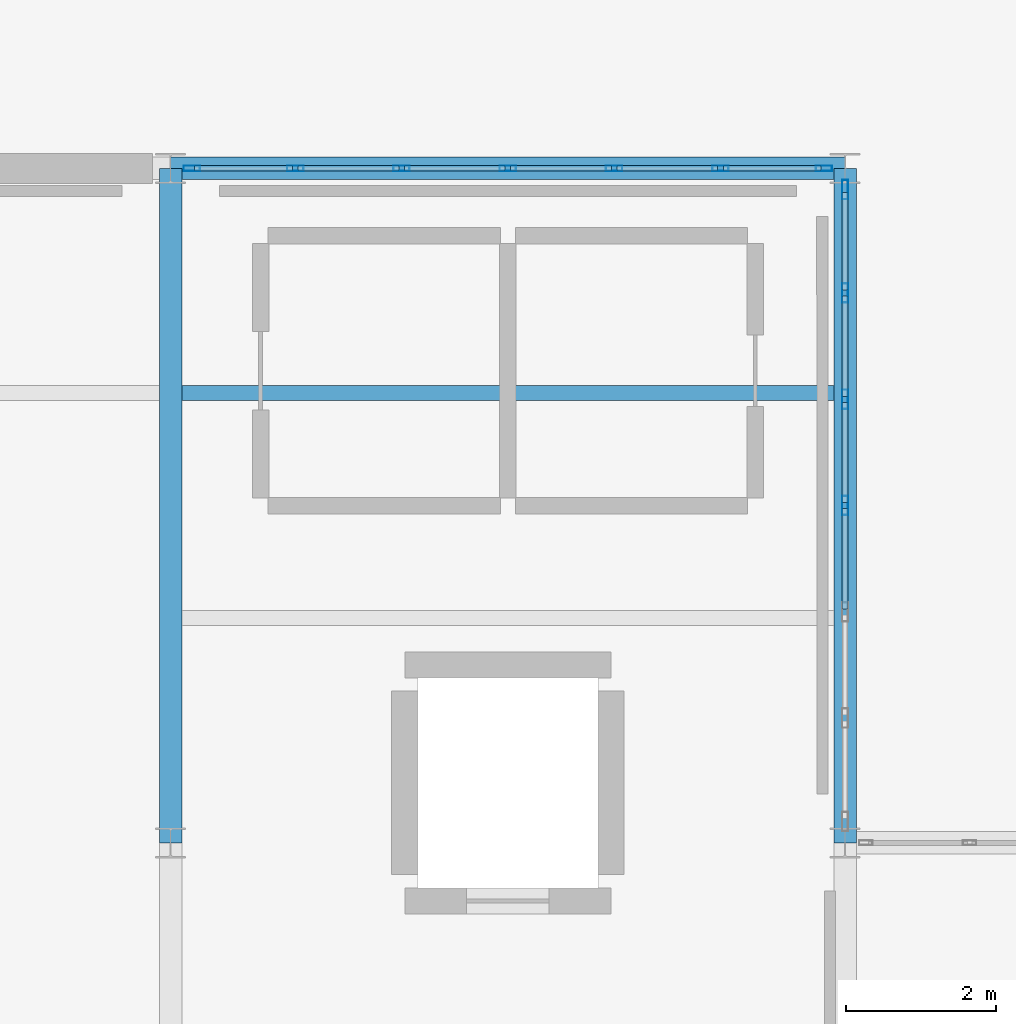
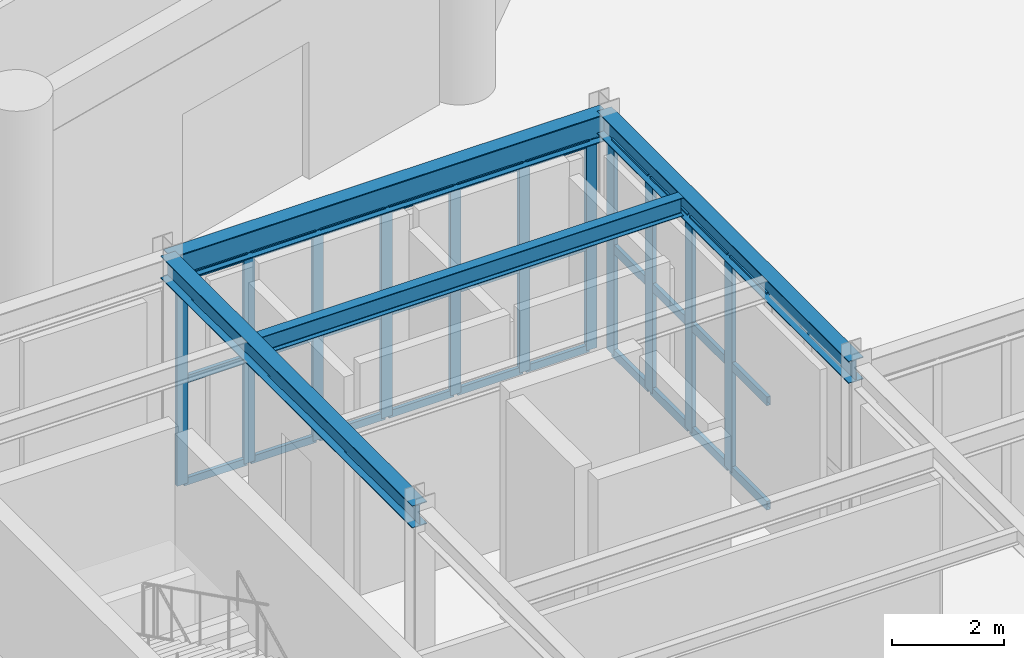
# One storey, part 32 of 140: 41 members, 4 beams, 2 elements without a shape of their own.
"""IFC4 building model written with IfcOpenShell, lengths in metres."""

from ifc_helpers import new_model, si_unit, direction, frame, origin, origin_2d, place, context, subcontext, project, spatial, hollow_rectangle, i_section, extrude, material, material_profile, profile_set, type_object, element, aggregate, save


model = new_model("IFC4")

# Units and contexts
model_context = context("Model", 3, precision=1e-05, world=origin(), true_north=direction((0.0, 1.0)))
body_context = subcontext(model_context, "Body", "Model", "MODEL_VIEW")
ifc_project = project(units=[si_unit("LENGTHUNIT", "METRE"), si_unit("AREAUNIT", "SQUARE_METRE"), si_unit("VOLUMEUNIT", "CUBIC_METRE"), si_unit("PLANEANGLEUNIT", "RADIAN"), si_unit("MASSUNIT", "GRAM", prefix="KILO")], contexts=[model_context])

# Site, building, storey
site_placement = place(None, origin())
site = spatial("IfcSite", under=ifc_project, at=site_placement, CompositionType="ELEMENT")
building_placement = place(site_placement, origin())
building = spatial("IfcBuilding", under=site, at=building_placement, Name="Haizhuo Lancet Aquarium", CompositionType="ELEMENT")
storey_placement = place(building_placement, origin())
storey = spatial("IfcBuildingStorey", under=building, at=storey_placement, Name="L00", CompositionType="ELEMENT", Elevation=0.0)

# Beams
ifc_material_1 = material(Name="Steel S355", Category="steel")
ifc_material_profile_1 = material_profile(ifc_material_1, i_section(OverallWidth=0.300048828125, OverallDepth=0.488037109375, WebThickness=0.010986328125, FlangeThickness=0.01806640625, FilletRadius=0.02392578125, at=origin_2d()), Name="HM 488x300x11x18")
ifc_profile_set_1 = profile_set([ifc_material_profile_1], Name="Steel S355")
beam_type_1 = type_object("IfcBeamType", Name="BM-ST-HM488", PredefinedType="BEAM", material=ifc_profile_set_1)
for number, where, z_axis, x_axis, name in (
    (1, (0.0, -36.0, 4.8759765625), (0.0, 1.0, 0.0), (-1.0, 0.0, 0.0), "L00 V4 primary girder BM-L00-V4-016"),
    (2, (9.0, -36.0, 4.8759765625), (0.0, 1.0, 0.0), (-1.0, 0.0, 0.0), "L00 V4 primary girder BM-L00-V4-022"),
):
    element("IfcBeam", number, at=place(storey_placement, frame(where, z_axis=z_axis, x_axis=x_axis)), inside=storey, type_object=beam_type_1, Name=name, PredefinedType="BEAM", context=body_context, shape_type="SweptSolid", body=[
        extrude(i_section(OverallWidth=0.300048828125, OverallDepth=0.488037109375, WebThickness=0.010986328125, FlangeThickness=0.01806640625, FilletRadius=0.02392578125, at=origin_2d()), origin(), (0.0, 0.0, 1.0), 9.0),
    ])
ifc_material_profile_2 = material_profile(ifc_material_1, i_section(OverallWidth=0.300048828125, OverallDepth=0.587890625, WebThickness=0.011962890625, FlangeThickness=0.02001953125, FilletRadius=0.02587890625, at=origin_2d()), Name="HM 588x300x12x20")
ifc_profile_set_2 = profile_set([ifc_material_profile_2], Name="Steel S355")
beam_type_2 = type_object("IfcBeamType", Name="BM-ST-HM588", PredefinedType="BEAM", material=ifc_profile_set_2)
beam_1_placement = place(storey_placement, frame((0.0, -27.0, 4.825927734375), z_axis=(1.0, 0.0, 0.0), x_axis=(0.0, 1.0, 0.0)))
element("IfcBeam", 3, at=beam_1_placement, inside=storey, type_object=beam_type_2, Name="L00 V4 primary girder BM-L00-V4-017", PredefinedType="BEAM", context=body_context, shape_type="SweptSolid", body=[
    extrude(i_section(OverallWidth=0.300048828125, OverallDepth=0.587890625, WebThickness=0.011962890625, FlangeThickness=0.02001953125, FilletRadius=0.02587890625, at=origin_2d()), origin(), (0.0, 0.0, 1.0), 9.0),
])

# Curtain wall, members
ifc_material_2 = material(Name="Aluminium 6063-T6", Category="aluminium")
curtain_wall_type_1 = type_object("IfcCurtainWallType", Name="CWO-8510x4530", PredefinedType="NOTDEFINED", material=ifc_material_2)
curtain_wall_1_placement = place(storey_placement, origin())
curtain_wall_1 = element("IfcCurtainWall", 4, at=curtain_wall_1_placement, inside=storey, type_object=curtain_wall_type_1, Name="L00 curtain wall CW-V4-L00-083", PredefinedType="NOTDEFINED")
ifc_material_profile_3 = material_profile(ifc_material_2, hollow_rectangle(XDim=0.074951171875, YDim=0.219970703125, WallThickness=0.0048828125, at=origin_2d()), Name="ALU-M 75x220x5")
ifc_profile_set_3 = profile_set([ifc_material_profile_3], Name="Aluminium 6063-T6")
member_type_1 = type_object("IfcMemberType", Name="CW-MUL-2", PredefinedType="MULLION", material=ifc_profile_set_3)
member_1_placement = place(storey_placement, frame((0.281982421875, -27.0, 0.0), z_axis=(0.0, 0.0, 1.0), x_axis=(0.0, 1.0, 0.0)))
member_1 = element("IfcMember", 5, at=member_1_placement, type_object=member_type_1, Name="CWO-85x45 mullion 1", PredefinedType="MULLION", context=body_context, shape_type="SweptSolid", body=[
    extrude(hollow_rectangle(XDim=0.074951171875, YDim=0.219970703125, WallThickness=0.0048828125, at=origin_2d()), origin(), (0.0, 0.0, 1.0), 4.531982421875),
])
member_2_placement = place(storey_placement, frame((1.6630859375, -27.0, 0.0), z_axis=(0.0, 0.0, 1.0), x_axis=(0.0, 1.0, 0.0)))
member_2 = element("IfcMember", 6, at=member_2_placement, type_object=member_type_1, Name="CWO-85x45 mullion 2", PredefinedType="MULLION", context=body_context, shape_type="SweptSolid", body=[
    extrude(hollow_rectangle(XDim=0.074951171875, YDim=0.219970703125, WallThickness=0.0048828125, at=origin_2d()), origin(), (0.0, 0.0, 1.0), 4.531982421875),
])
member_3_placement = place(storey_placement, frame((3.08203125, -27.0, 0.0), z_axis=(0.0, 0.0, 1.0), x_axis=(0.0, 1.0, 0.0)))
member_3 = element("IfcMember", 7, at=member_3_placement, type_object=member_type_1, Name="CWO-85x45 mullion 3", PredefinedType="MULLION", context=body_context, shape_type="SweptSolid", body=[
    extrude(hollow_rectangle(XDim=0.074951171875, YDim=0.219970703125, WallThickness=0.0048828125, at=origin_2d()), origin(), (0.0, 0.0, 1.0), 4.531982421875),
])
member_4_placement = place(storey_placement, frame((4.5, -27.0, 0.0), z_axis=(0.0, 0.0, 1.0), x_axis=(0.0, 1.0, 0.0)))
member_4 = element("IfcMember", 8, at=member_4_placement, type_object=member_type_1, Name="CWO-85x45 mullion 4", PredefinedType="MULLION", context=body_context, shape_type="SweptSolid", body=[
    extrude(hollow_rectangle(XDim=0.074951171875, YDim=0.219970703125, WallThickness=0.0048828125, at=origin_2d()), origin(), (0.0, 0.0, 1.0), 4.531982421875),
])
member_5_placement = place(storey_placement, frame((5.91796875, -27.0, 0.0), z_axis=(0.0, 0.0, 1.0), x_axis=(0.0, 1.0, 0.0)))
member_5 = element("IfcMember", 9, at=member_5_placement, type_object=member_type_1, Name="CWO-85x45 mullion 5", PredefinedType="MULLION", context=body_context, shape_type="SweptSolid", body=[
    extrude(hollow_rectangle(XDim=0.074951171875, YDim=0.219970703125, WallThickness=0.0048828125, at=origin_2d()), origin(), (0.0, 0.0, 1.0), 4.531982421875),
])
member_6_placement = place(storey_placement, frame((7.3369140625, -27.0, 0.0), z_axis=(0.0, 0.0, 1.0), x_axis=(0.0, 1.0, 0.0)))
member_6 = element("IfcMember", 10, at=member_6_placement, type_object=member_type_1, Name="CWO-85x45 mullion 6", PredefinedType="MULLION", context=body_context, shape_type="SweptSolid", body=[
    extrude(hollow_rectangle(XDim=0.074951171875, YDim=0.219970703125, WallThickness=0.0048828125, at=origin_2d()), origin(), (0.0, 0.0, 1.0), 4.531982421875),
])
member_7_placement = place(storey_placement, frame((8.718017578125, -27.0, 0.0), z_axis=(0.0, 0.0, 1.0), x_axis=(0.0, 1.0, 0.0)))
member_7 = element("IfcMember", 11, at=member_7_placement, type_object=member_type_1, Name="CWO-85x45 mullion 7", PredefinedType="MULLION", context=body_context, shape_type="SweptSolid", body=[
    extrude(hollow_rectangle(XDim=0.074951171875, YDim=0.219970703125, WallThickness=0.0048828125, at=origin_2d()), origin(), (0.0, 0.0, 1.0), 4.531982421875),
])

curtain_wall_type_2 = type_object("IfcCurtainWallType", Name="CWO-8510x4630", PredefinedType="NOTDEFINED", material=ifc_material_2)
curtain_wall_2_placement = place(storey_placement, origin())
curtain_wall_2 = element("IfcCurtainWall", 12, at=curtain_wall_2_placement, inside=storey, type_object=curtain_wall_type_2, Name="L00 curtain wall CW-V4-L00-084", PredefinedType="NOTDEFINED")
ifc_material_profile_4 = material_profile(ifc_material_2, hollow_rectangle(XDim=0.080078125, YDim=0.260009765625, WallThickness=0.0048828125, at=origin_2d()), Name="ALU-M 80x260x5")
ifc_profile_set_4 = profile_set([ifc_material_profile_4], Name="Aluminium 6063-T6")
member_type_2 = type_object("IfcMemberType", Name="CW-MUL-3", PredefinedType="MULLION", material=ifc_profile_set_4)
member_8_placement = place(storey_placement, frame((9.0, -27.284912109375, 0.0), z_axis=(0.0, 0.0, 1.0), x_axis=(1.0, 0.0, 0.0)))
member_8 = element("IfcMember", 13, at=member_8_placement, type_object=member_type_2, Name="CWO-85x46 mullion 1", PredefinedType="MULLION", context=body_context, shape_type="SweptSolid", body=[
    extrude(hollow_rectangle(XDim=0.080078125, YDim=0.260009765625, WallThickness=0.0048828125, at=origin_2d()), origin(), (0.0, 0.0, 1.0), 4.632080078125),
])
member_9_placement = place(storey_placement, frame((9.0, -28.6630859375, 0.0), z_axis=(0.0, 0.0, 1.0), x_axis=(1.0, 0.0, 0.0)))
member_9 = element("IfcMember", 14, at=member_9_placement, type_object=member_type_2, Name="CWO-85x46 mullion 2", PredefinedType="MULLION", context=body_context, shape_type="SweptSolid", body=[
    extrude(hollow_rectangle(XDim=0.080078125, YDim=0.260009765625, WallThickness=0.0048828125, at=origin_2d()), origin(), (0.0, 0.0, 1.0), 4.632080078125),
])
member_10_placement = place(storey_placement, frame((9.0, -30.08203125, 0.0), z_axis=(0.0, 0.0, 1.0), x_axis=(1.0, 0.0, 0.0)))
member_10 = element("IfcMember", 15, at=member_10_placement, type_object=member_type_2, Name="CWO-85x46 mullion 3", PredefinedType="MULLION", context=body_context, shape_type="SweptSolid", body=[
    extrude(hollow_rectangle(XDim=0.080078125, YDim=0.260009765625, WallThickness=0.0048828125, at=origin_2d()), origin(), (0.0, 0.0, 1.0), 4.632080078125),
])
member_11_placement = place(storey_placement, frame((9.0, -31.5, 0.0), z_axis=(0.0, 0.0, 1.0), x_axis=(1.0, 0.0, 0.0)))
member_11 = element("IfcMember", 16, at=member_11_placement, type_object=member_type_2, Name="CWO-85x46 mullion 4", PredefinedType="MULLION", context=body_context, shape_type="SweptSolid", body=[
    extrude(hollow_rectangle(XDim=0.080078125, YDim=0.260009765625, WallThickness=0.0048828125, at=origin_2d()), origin(), (0.0, 0.0, 1.0), 4.632080078125),
])

# Member
ifc_material_profile_5 = material_profile(ifc_material_2, hollow_rectangle(XDim=0.074951171875, YDim=0.159912109375, WallThickness=0.00390625, at=origin_2d()), Name="ALU-T 75x160x4")
ifc_profile_set_5 = profile_set([ifc_material_profile_5], Name="Aluminium 6063-T6")
member_type_3 = type_object("IfcMemberType", Name="CW-TRN-2", PredefinedType="NOTDEFINED", material=ifc_profile_set_5)
member_12_placement = place(storey_placement, frame((0.320068359375, -27.0, 0.037109375), z_axis=(1.0, 0.0, 0.0), x_axis=(0.0, 1.0, 0.0)))
member_12 = element("IfcMember", 17, at=member_12_placement, type_object=member_type_3, Name="CWO-85x45 transom 1.1", ObjectType="TRANSOM", PredefinedType="USERDEFINED", context=body_context, shape_type="SweptSolid", body=[
    extrude(hollow_rectangle(XDim=0.074951171875, YDim=0.159912109375, WallThickness=0.00390625, at=origin_2d()), origin(), (0.0, 0.0, 1.0), 1.305908203125),
])

member_13_placement = place(storey_placement, frame((0.320068359375, -27.0, 2.26611328125), z_axis=(1.0, 0.0, 0.0), x_axis=(0.0, 1.0, 0.0)))
member_13 = element("IfcMember", 18, at=member_13_placement, type_object=member_type_3, Name="CWO-85x45 transom 1.2", ObjectType="TRANSOM", PredefinedType="USERDEFINED", context=body_context, shape_type="SweptSolid", body=[
    extrude(hollow_rectangle(XDim=0.074951171875, YDim=0.159912109375, WallThickness=0.00390625, at=origin_2d()), origin(), (0.0, 0.0, 1.0), 1.305908203125),
])

member_14_placement = place(storey_placement, frame((0.320068359375, -27.0, 4.4951171875), z_axis=(1.0, 0.0, 0.0), x_axis=(0.0, 1.0, 0.0)))
member_14 = element("IfcMember", 19, at=member_14_placement, type_object=member_type_3, Name="CWO-85x45 transom 1.3", ObjectType="TRANSOM", PredefinedType="USERDEFINED", context=body_context, shape_type="SweptSolid", body=[
    extrude(hollow_rectangle(XDim=0.074951171875, YDim=0.159912109375, WallThickness=0.00390625, at=origin_2d()), origin(), (0.0, 0.0, 1.0), 1.305908203125),
])

member_15_placement = place(storey_placement, frame((1.700927734375, -27.0, 0.037109375), z_axis=(1.0, 0.0, 0.0), x_axis=(0.0, 1.0, 0.0)))
member_15 = element("IfcMember", 20, at=member_15_placement, type_object=member_type_3, Name="CWO-85x45 transom 2.1", ObjectType="TRANSOM", PredefinedType="USERDEFINED", context=body_context, shape_type="SweptSolid", body=[
    extrude(hollow_rectangle(XDim=0.074951171875, YDim=0.159912109375, WallThickness=0.00390625, at=origin_2d()), origin(), (0.0, 0.0, 1.0), 1.343017578125),
])

member_16_placement = place(storey_placement, frame((1.700927734375, -27.0, 2.26611328125), z_axis=(1.0, 0.0, 0.0), x_axis=(0.0, 1.0, 0.0)))
member_16 = element("IfcMember", 21, at=member_16_placement, type_object=member_type_3, Name="CWO-85x45 transom 2.2", ObjectType="TRANSOM", PredefinedType="USERDEFINED", context=body_context, shape_type="SweptSolid", body=[
    extrude(hollow_rectangle(XDim=0.074951171875, YDim=0.159912109375, WallThickness=0.00390625, at=origin_2d()), origin(), (0.0, 0.0, 1.0), 1.343017578125),
])

member_17_placement = place(storey_placement, frame((1.700927734375, -27.0, 4.4951171875), z_axis=(1.0, 0.0, 0.0), x_axis=(0.0, 1.0, 0.0)))
member_17 = element("IfcMember", 22, at=member_17_placement, type_object=member_type_3, Name="CWO-85x45 transom 2.3", ObjectType="TRANSOM", PredefinedType="USERDEFINED", context=body_context, shape_type="SweptSolid", body=[
    extrude(hollow_rectangle(XDim=0.074951171875, YDim=0.159912109375, WallThickness=0.00390625, at=origin_2d()), origin(), (0.0, 0.0, 1.0), 1.343017578125),
])

member_18_placement = place(storey_placement, frame((3.118896484375, -27.0, 0.037109375), z_axis=(1.0, 0.0, 0.0), x_axis=(0.0, 1.0, 0.0)))
member_18 = element("IfcMember", 23, at=member_18_placement, type_object=member_type_3, Name="CWO-85x45 transom 3.1", ObjectType="TRANSOM", PredefinedType="USERDEFINED", context=body_context, shape_type="SweptSolid", body=[
    extrude(hollow_rectangle(XDim=0.074951171875, YDim=0.159912109375, WallThickness=0.00390625, at=origin_2d()), origin(), (0.0, 0.0, 1.0), 1.343994140625),
])

member_19_placement = place(storey_placement, frame((3.118896484375, -27.0, 2.26611328125), z_axis=(1.0, 0.0, 0.0), x_axis=(0.0, 1.0, 0.0)))
member_19 = element("IfcMember", 24, at=member_19_placement, type_object=member_type_3, Name="CWO-85x45 transom 3.2", ObjectType="TRANSOM", PredefinedType="USERDEFINED", context=body_context, shape_type="SweptSolid", body=[
    extrude(hollow_rectangle(XDim=0.074951171875, YDim=0.159912109375, WallThickness=0.00390625, at=origin_2d()), origin(), (0.0, 0.0, 1.0), 1.343994140625),
])

member_20_placement = place(storey_placement, frame((3.118896484375, -27.0, 4.4951171875), z_axis=(1.0, 0.0, 0.0), x_axis=(0.0, 1.0, 0.0)))
member_20 = element("IfcMember", 25, at=member_20_placement, type_object=member_type_3, Name="CWO-85x45 transom 3.3", ObjectType="TRANSOM", PredefinedType="USERDEFINED", context=body_context, shape_type="SweptSolid", body=[
    extrude(hollow_rectangle(XDim=0.074951171875, YDim=0.159912109375, WallThickness=0.00390625, at=origin_2d()), origin(), (0.0, 0.0, 1.0), 1.343994140625),
])

member_21_placement = place(storey_placement, frame((4.5380859375, -27.0, 0.037109375), z_axis=(1.0, 0.0, 0.0), x_axis=(0.0, 1.0, 0.0)))
member_21 = element("IfcMember", 26, at=member_21_placement, type_object=member_type_3, Name="CWO-85x45 transom 4.1", ObjectType="TRANSOM", PredefinedType="USERDEFINED", context=body_context, shape_type="SweptSolid", body=[
    extrude(hollow_rectangle(XDim=0.074951171875, YDim=0.159912109375, WallThickness=0.00390625, at=origin_2d()), origin(), (0.0, 0.0, 1.0), 1.343017578125),
])

member_22_placement = place(storey_placement, frame((4.5380859375, -27.0, 2.26611328125), z_axis=(1.0, 0.0, 0.0), x_axis=(0.0, 1.0, 0.0)))
member_22 = element("IfcMember", 27, at=member_22_placement, type_object=member_type_3, Name="CWO-85x45 transom 4.2", ObjectType="TRANSOM", PredefinedType="USERDEFINED", context=body_context, shape_type="SweptSolid", body=[
    extrude(hollow_rectangle(XDim=0.074951171875, YDim=0.159912109375, WallThickness=0.00390625, at=origin_2d()), origin(), (0.0, 0.0, 1.0), 1.343017578125),
])

member_23_placement = place(storey_placement, frame((4.5380859375, -27.0, 4.4951171875), z_axis=(1.0, 0.0, 0.0), x_axis=(0.0, 1.0, 0.0)))
member_23 = element("IfcMember", 28, at=member_23_placement, type_object=member_type_3, Name="CWO-85x45 transom 4.3", ObjectType="TRANSOM", PredefinedType="USERDEFINED", context=body_context, shape_type="SweptSolid", body=[
    extrude(hollow_rectangle(XDim=0.074951171875, YDim=0.159912109375, WallThickness=0.00390625, at=origin_2d()), origin(), (0.0, 0.0, 1.0), 1.343017578125),
])

member_24_placement = place(storey_placement, frame((5.9560546875, -27.0, 0.037109375), z_axis=(1.0, 0.0, 0.0), x_axis=(0.0, 1.0, 0.0)))
member_24 = element("IfcMember", 29, at=member_24_placement, type_object=member_type_3, Name="CWO-85x45 transom 5.1", ObjectType="TRANSOM", PredefinedType="USERDEFINED", context=body_context, shape_type="SweptSolid", body=[
    extrude(hollow_rectangle(XDim=0.074951171875, YDim=0.159912109375, WallThickness=0.00390625, at=origin_2d()), origin(), (0.0, 0.0, 1.0), 1.343017578125),
])

member_25_placement = place(storey_placement, frame((5.9560546875, -27.0, 2.26611328125), z_axis=(1.0, 0.0, 0.0), x_axis=(0.0, 1.0, 0.0)))
member_25 = element("IfcMember", 30, at=member_25_placement, type_object=member_type_3, Name="CWO-85x45 transom 5.2", ObjectType="TRANSOM", PredefinedType="USERDEFINED", context=body_context, shape_type="SweptSolid", body=[
    extrude(hollow_rectangle(XDim=0.074951171875, YDim=0.159912109375, WallThickness=0.00390625, at=origin_2d()), origin(), (0.0, 0.0, 1.0), 1.343017578125),
])

member_26_placement = place(storey_placement, frame((5.9560546875, -27.0, 4.4951171875), z_axis=(1.0, 0.0, 0.0), x_axis=(0.0, 1.0, 0.0)))
member_26 = element("IfcMember", 31, at=member_26_placement, type_object=member_type_3, Name="CWO-85x45 transom 5.3", ObjectType="TRANSOM", PredefinedType="USERDEFINED", context=body_context, shape_type="SweptSolid", body=[
    extrude(hollow_rectangle(XDim=0.074951171875, YDim=0.159912109375, WallThickness=0.00390625, at=origin_2d()), origin(), (0.0, 0.0, 1.0), 1.343017578125),
])

member_27_placement = place(storey_placement, frame((7.3740234375, -27.0, 0.037109375), z_axis=(1.0, 0.0, 0.0), x_axis=(0.0, 1.0, 0.0)))
member_27 = element("IfcMember", 32, at=member_27_placement, type_object=member_type_3, Name="CWO-85x45 transom 6.1", ObjectType="TRANSOM", PredefinedType="USERDEFINED", context=body_context, shape_type="SweptSolid", body=[
    extrude(hollow_rectangle(XDim=0.074951171875, YDim=0.159912109375, WallThickness=0.00390625, at=origin_2d()), origin(), (0.0, 0.0, 1.0), 1.305908203125),
])

member_28_placement = place(storey_placement, frame((7.3740234375, -27.0, 2.26611328125), z_axis=(1.0, 0.0, 0.0), x_axis=(0.0, 1.0, 0.0)))
member_28 = element("IfcMember", 33, at=member_28_placement, type_object=member_type_3, Name="CWO-85x45 transom 6.2", ObjectType="TRANSOM", PredefinedType="USERDEFINED", context=body_context, shape_type="SweptSolid", body=[
    extrude(hollow_rectangle(XDim=0.074951171875, YDim=0.159912109375, WallThickness=0.00390625, at=origin_2d()), origin(), (0.0, 0.0, 1.0), 1.305908203125),
])

member_29_placement = place(storey_placement, frame((7.3740234375, -27.0, 4.4951171875), z_axis=(1.0, 0.0, 0.0), x_axis=(0.0, 1.0, 0.0)))
member_29 = element("IfcMember", 34, at=member_29_placement, type_object=member_type_3, Name="CWO-85x45 transom 6.3", ObjectType="TRANSOM", PredefinedType="USERDEFINED", context=body_context, shape_type="SweptSolid", body=[
    extrude(hollow_rectangle(XDim=0.074951171875, YDim=0.159912109375, WallThickness=0.00390625, at=origin_2d()), origin(), (0.0, 0.0, 1.0), 1.305908203125),
])

aggregate(curtain_wall_1, [member_1, member_2, member_3, member_4, member_5, member_6, member_7, member_12, member_13, member_14, member_15, member_16, member_17, member_18, member_19, member_20, member_21, member_22, member_23, member_24, member_25, member_26, member_27, member_28, member_29])

ifc_material_profile_6 = material_profile(ifc_material_2, hollow_rectangle(XDim=0.080078125, YDim=0.18994140625, WallThickness=0.0048828125, at=origin_2d()), Name="ALU-T 80x190x5")
ifc_profile_set_6 = profile_set([ifc_material_profile_6], Name="Aluminium 6063-T6")
member_type_4 = type_object("IfcMemberType", Name="CW-TRN-3", PredefinedType="NOTDEFINED", material=ifc_profile_set_6)
member_30_placement = place(storey_placement, frame((9.0, -27.324951171875, 0.0400390625), z_axis=(0.0, -1.0, 0.0), x_axis=(1.0, 0.0, 0.0)))
member_30 = element("IfcMember", 35, at=member_30_placement, type_object=member_type_4, Name="CWO-85x46 transom 1.1", ObjectType="TRANSOM", PredefinedType="USERDEFINED", context=body_context, shape_type="SweptSolid", body=[
    extrude(hollow_rectangle(XDim=0.080078125, YDim=0.18994140625, WallThickness=0.0048828125, at=origin_2d()), origin(), (0.0, 0.0, 1.0), 1.298095703125),
])

member_31_placement = place(storey_placement, frame((9.0, -27.324951171875, 2.31591796875), z_axis=(0.0, -1.0, 0.0), x_axis=(1.0, 0.0, 0.0)))
member_31 = element("IfcMember", 36, at=member_31_placement, type_object=member_type_4, Name="CWO-85x46 transom 1.2", ObjectType="TRANSOM", PredefinedType="USERDEFINED", context=body_context, shape_type="SweptSolid", body=[
    extrude(hollow_rectangle(XDim=0.080078125, YDim=0.18994140625, WallThickness=0.0048828125, at=origin_2d()), origin(), (0.0, 0.0, 1.0), 1.298095703125),
])

member_32_placement = place(storey_placement, frame((9.0, -27.324951171875, 4.592041015625), z_axis=(0.0, -1.0, 0.0), x_axis=(1.0, 0.0, 0.0)))
member_32 = element("IfcMember", 37, at=member_32_placement, type_object=member_type_4, Name="CWO-85x46 transom 1.3", ObjectType="TRANSOM", PredefinedType="USERDEFINED", context=body_context, shape_type="SweptSolid", body=[
    extrude(hollow_rectangle(XDim=0.080078125, YDim=0.18994140625, WallThickness=0.0048828125, at=origin_2d()), origin(), (0.0, 0.0, 1.0), 1.298095703125),
])

member_33_placement = place(storey_placement, frame((9.0, -28.702880859375, 0.0400390625), z_axis=(0.0, -1.0, 0.0), x_axis=(1.0, 0.0, 0.0)))
member_33 = element("IfcMember", 38, at=member_33_placement, type_object=member_type_4, Name="CWO-85x46 transom 2.1", ObjectType="TRANSOM", PredefinedType="USERDEFINED", context=body_context, shape_type="SweptSolid", body=[
    extrude(hollow_rectangle(XDim=0.080078125, YDim=0.18994140625, WallThickness=0.0048828125, at=origin_2d()), origin(), (0.0, 0.0, 1.0), 1.339111328125),
])

member_34_placement = place(storey_placement, frame((9.0, -28.702880859375, 2.31591796875), z_axis=(0.0, -1.0, 0.0), x_axis=(1.0, 0.0, 0.0)))
member_34 = element("IfcMember", 39, at=member_34_placement, type_object=member_type_4, Name="CWO-85x46 transom 2.2", ObjectType="TRANSOM", PredefinedType="USERDEFINED", context=body_context, shape_type="SweptSolid", body=[
    extrude(hollow_rectangle(XDim=0.080078125, YDim=0.18994140625, WallThickness=0.0048828125, at=origin_2d()), origin(), (0.0, 0.0, 1.0), 1.339111328125),
])

member_35_placement = place(storey_placement, frame((9.0, -28.702880859375, 4.592041015625), z_axis=(0.0, -1.0, 0.0), x_axis=(1.0, 0.0, 0.0)))
member_35 = element("IfcMember", 40, at=member_35_placement, type_object=member_type_4, Name="CWO-85x46 transom 2.3", ObjectType="TRANSOM", PredefinedType="USERDEFINED", context=body_context, shape_type="SweptSolid", body=[
    extrude(hollow_rectangle(XDim=0.080078125, YDim=0.18994140625, WallThickness=0.0048828125, at=origin_2d()), origin(), (0.0, 0.0, 1.0), 1.339111328125),
])

member_36_placement = place(storey_placement, frame((9.0, -30.1220703125, 0.0400390625), z_axis=(0.0, -1.0, 0.0), x_axis=(1.0, 0.0, 0.0)))
member_36 = element("IfcMember", 41, at=member_36_placement, type_object=member_type_4, Name="CWO-85x46 transom 3.1", ObjectType="TRANSOM", PredefinedType="USERDEFINED", context=body_context, shape_type="SweptSolid", body=[
    extrude(hollow_rectangle(XDim=0.080078125, YDim=0.18994140625, WallThickness=0.0048828125, at=origin_2d()), origin(), (0.0, 0.0, 1.0), 1.337890625),
])

member_37_placement = place(storey_placement, frame((9.0, -30.1220703125, 2.31591796875), z_axis=(0.0, -1.0, 0.0), x_axis=(1.0, 0.0, 0.0)))
member_37 = element("IfcMember", 42, at=member_37_placement, type_object=member_type_4, Name="CWO-85x46 transom 3.2", ObjectType="TRANSOM", PredefinedType="USERDEFINED", context=body_context, shape_type="SweptSolid", body=[
    extrude(hollow_rectangle(XDim=0.080078125, YDim=0.18994140625, WallThickness=0.0048828125, at=origin_2d()), origin(), (0.0, 0.0, 1.0), 1.337890625),
])

member_38_placement = place(storey_placement, frame((9.0, -30.1220703125, 4.592041015625), z_axis=(0.0, -1.0, 0.0), x_axis=(1.0, 0.0, 0.0)))
member_38 = element("IfcMember", 43, at=member_38_placement, type_object=member_type_4, Name="CWO-85x46 transom 3.3", ObjectType="TRANSOM", PredefinedType="USERDEFINED", context=body_context, shape_type="SweptSolid", body=[
    extrude(hollow_rectangle(XDim=0.080078125, YDim=0.18994140625, WallThickness=0.0048828125, at=origin_2d()), origin(), (0.0, 0.0, 1.0), 1.337890625),
])

member_39_placement = place(storey_placement, frame((9.0, -31.5400390625, 0.0400390625), z_axis=(0.0, -1.0, 0.0), x_axis=(1.0, 0.0, 0.0)))
member_39 = element("IfcMember", 44, at=member_39_placement, type_object=member_type_4, Name="CWO-85x46 transom 4.1", ObjectType="TRANSOM", PredefinedType="USERDEFINED", context=body_context, shape_type="SweptSolid", body=[
    extrude(hollow_rectangle(XDim=0.080078125, YDim=0.18994140625, WallThickness=0.0048828125, at=origin_2d()), origin(), (0.0, 0.0, 1.0), 1.337890625),
])

member_40_placement = place(storey_placement, frame((9.0, -31.5400390625, 2.31591796875), z_axis=(0.0, -1.0, 0.0), x_axis=(1.0, 0.0, 0.0)))
member_40 = element("IfcMember", 45, at=member_40_placement, type_object=member_type_4, Name="CWO-85x46 transom 4.2", ObjectType="TRANSOM", PredefinedType="USERDEFINED", context=body_context, shape_type="SweptSolid", body=[
    extrude(hollow_rectangle(XDim=0.080078125, YDim=0.18994140625, WallThickness=0.0048828125, at=origin_2d()), origin(), (0.0, 0.0, 1.0), 1.337890625),
])

member_41_placement = place(storey_placement, frame((9.0, -31.5400390625, 4.592041015625), z_axis=(0.0, -1.0, 0.0), x_axis=(1.0, 0.0, 0.0)))
member_41 = element("IfcMember", 46, at=member_41_placement, type_object=member_type_4, Name="CWO-85x46 transom 4.3", ObjectType="TRANSOM", PredefinedType="USERDEFINED", context=body_context, shape_type="SweptSolid", body=[
    extrude(hollow_rectangle(XDim=0.080078125, YDim=0.18994140625, WallThickness=0.0048828125, at=origin_2d()), origin(), (0.0, 0.0, 1.0), 1.337890625),
])

aggregate(curtain_wall_2, [member_8, member_9, member_10, member_11, member_30, member_31, member_32, member_33, member_34, member_35, member_36, member_37, member_38, member_39, member_40, member_41])

# Beam
ifc_material_profile_7 = material_profile(ifc_material_1, i_section(OverallWidth=0.199951171875, OverallDepth=0.39990234375, WebThickness=0.008056640625, FlangeThickness=0.012939453125, FilletRadius=0.01611328125, at=origin_2d()), Name="HN 400x200x8x13")
ifc_profile_set_7 = profile_set([ifc_material_profile_7], Name="Steel S355")
beam_type_3 = type_object("IfcBeamType", Name="JST-ST-HN400", PredefinedType="JOIST", material=ifc_profile_set_7)
beam_2_placement = place(storey_placement, frame((0.14990234375, -30.0, 4.919921875), z_axis=(1.0, 0.0, 0.0), x_axis=(0.0, 1.0, 0.0)))
element("IfcBeam", 47, at=beam_2_placement, inside=storey, type_object=beam_type_3, Name="L00 V4 secondary floor joist 16", PredefinedType="JOIST", context=body_context, shape_type="SweptSolid", body=[
    extrude(i_section(OverallWidth=0.199951171875, OverallDepth=0.39990234375, WebThickness=0.008056640625, FlangeThickness=0.012939453125, FilletRadius=0.01611328125, at=origin_2d()), origin(), (0.0, 0.0, 1.0), 8.7001953125),
])

save(model, "model.ifc")
